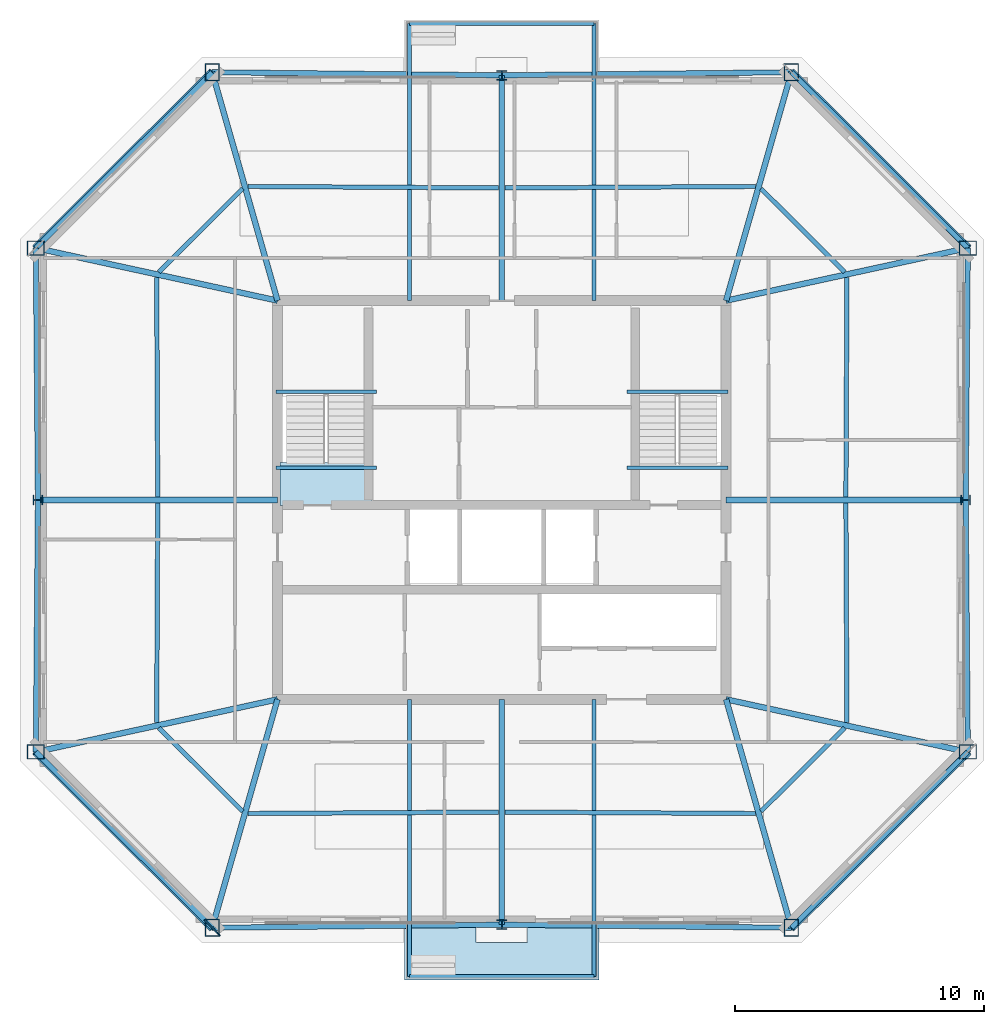
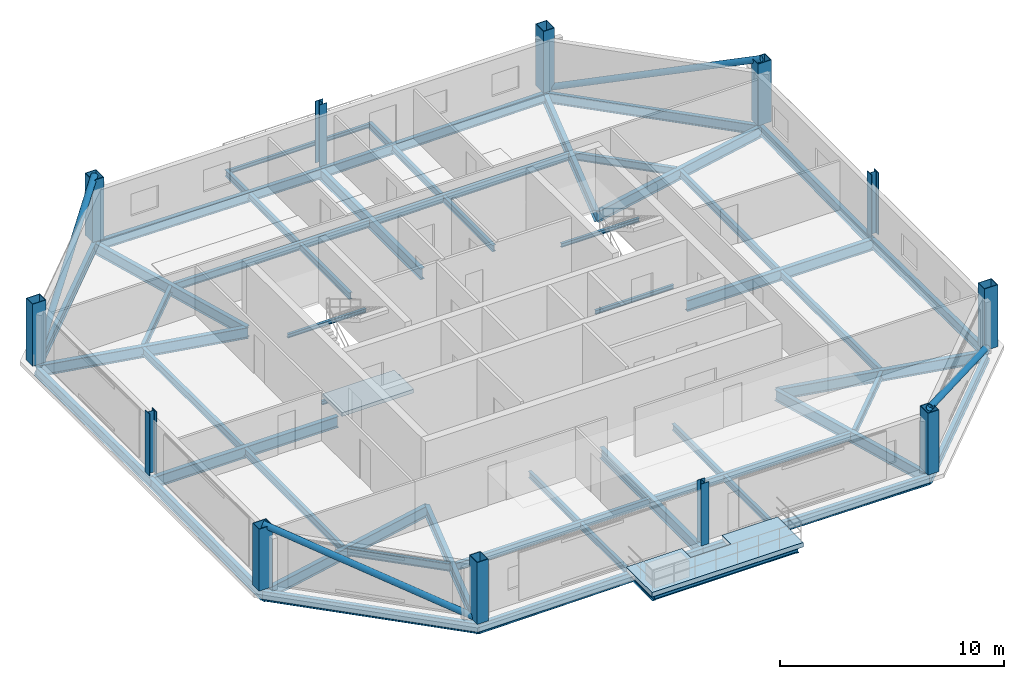
# One storey, part 1 of 7: 46 beams, 12 columns, 4 members, 2 slabs, 1 plate, 1 element without a shape of its own.
"""IFC4 building model written with IfcOpenShell, lengths in metres."""

from ifc_helpers import new_model, si_unit, direction, frame, origin, origin_2d, place, context, subcontext, project, spatial, polyline, rectangle, hollow_rectangle, hollow_circle, i_section, outline, extrude, material, layer, layer_set, material_profile, profile_set, type_object, element, aggregate, save


model = new_model("IFC4")

# Units and contexts
model_context = context("Model", 3, precision=1e-05, world=origin(), true_north=direction((0.0, 1.0)))
body_context = subcontext(model_context, "Body", "Model", "MODEL_VIEW")
ifc_project = project(units=[si_unit("LENGTHUNIT", "METRE"), si_unit("AREAUNIT", "SQUARE_METRE"), si_unit("VOLUMEUNIT", "CUBIC_METRE"), si_unit("PLANEANGLEUNIT", "RADIAN"), si_unit("MASSUNIT", "GRAM", prefix="KILO")], contexts=[model_context])

# Site, building, storey
site_placement = place(None, origin())
site = spatial("IfcSite", under=ifc_project, at=site_placement, CompositionType="ELEMENT")
building_placement = place(site_placement, origin())
building = spatial("IfcBuilding", under=site, at=building_placement, Name="Caelvoria Tower", CompositionType="ELEMENT")
storey_placement = place(building_placement, frame((0.0, 0.0, 253.800048828125)))
storey = spatial("IfcBuildingStorey", under=building, at=storey_placement, Name="L67", CompositionType="ELEMENT", Elevation=253.800048828125)

# Columns
ifc_material_1 = material(Name="Structural Steel ASTM A572 Gr.50", Category="steel")
ifc_material_profile_1 = material_profile(ifc_material_1, hollow_rectangle(XDim=0.580078125, YDim=0.699951171875, WallThickness=0.031982421875, at=origin_2d()), Name="Structural Steel ASTM A572 Gr.50")
ifc_profile_set_1 = profile_set([ifc_material_profile_1], Name="BOX700X580X32 - Structural Steel ASTM A572 Gr.50")
column_type_1 = type_object("IfcColumnType", Name="Mega Box Column 700x580x32", PredefinedType="COLUMN", material=ifc_profile_set_1)
for number, where, z_axis, x_axis, name in (
    (1, (34.37646484375, 14.83251953125, 0.0), (0.0, 0.0, 1.0), (1.0, 0.0, 0.0), "Perimeter Megaframe Column L67-P00"),
    (2, (57.62353515625, 14.83251953125, 0.0), (0.0, 0.0, 1.0), (1.0, 0.0, 0.0), "Perimeter Megaframe Column L67-P02"),
    (3, (64.702880859375, 21.887939453125, 0.0), (0.0, 0.0, 1.0), (0.0, 1.0, 0.0), "Perimeter Megaframe Column L67-P03"),
    (4, (64.702880859375, 42.112060546875, 0.0), (0.0, 0.0, 1.0), (0.0, 1.0, 0.0), "Perimeter Megaframe Column L67-P05"),
    (5, (57.62353515625, 49.16748046875, 0.0), (0.0, 0.0, 1.0), (1.0, 0.0, 0.0), "Perimeter Megaframe Column L67-P06"),
    (6, (34.37646484375, 49.16748046875, 0.0), (0.0, 0.0, 1.0), (1.0, 0.0, 0.0), "Perimeter Megaframe Column L67-P08"),
    (7, (27.297119140625, 42.112060546875, 0.0), (0.0, 0.0, 1.0), (0.0, 1.0, 0.0), "Perimeter Megaframe Column L67-P09"),
    (8, (27.297119140625, 21.887939453125, 0.0), (0.0, 0.0, 1.0), (0.0, 1.0, 0.0), "Perimeter Megaframe Column L67-P11"),
):
    element("IfcColumn", number, at=place(storey_placement, frame(where, z_axis=z_axis, x_axis=x_axis)), inside=storey, type_object=column_type_1, Name=name, PredefinedType="COLUMN", context=body_context, shape_type="SweptSolid", body=[
        extrude(hollow_rectangle(XDim=0.580078125, YDim=0.699951171875, WallThickness=0.031982421875, at=origin_2d()), origin(), (0.0, 0.0, 1.0), 3.373046875),
    ])
ifc_material_2 = material(Name="Structural Steel ASTM A992 Gr.50", Category="steel")
ifc_material_profile_2 = material_profile(ifc_material_2, i_section(OverallWidth=0.39501953125, OverallDepth=0.3798828125, WebThickness=0.018798828125, FlangeThickness=0.0302734375, FilletRadius=0.02490234375, at=origin_2d()), Name="Structural Steel ASTM A992 Gr.50")
ifc_profile_set_2 = profile_set([ifc_material_profile_2], Name="W360X237 - Structural Steel ASTM A992 Gr.50")
column_type_2 = type_object("IfcColumnType", Name="Summit Frame Column W360X237", PredefinedType="COLUMN", material=ifc_profile_set_2)
for number, where, z_axis, x_axis, name in (
    (9, (46.0, 14.956298828125, 0.0), (0.0, 0.0, 1.0), (1.0, 0.0, 0.0), "Perimeter Megaframe Column L67-P01"),
    (10, (64.616455078125, 32.0, 0.0), (0.0, 0.0, 1.0), (0.0, 1.0, 0.0), "Perimeter Megaframe Column L67-P04"),
    (11, (46.0, 49.043701171875, 0.0), (0.0, 0.0, 1.0), (1.0, 0.0, 0.0), "Perimeter Megaframe Column L67-P07"),
    (12, (27.383544921875, 32.0, 0.0), (0.0, 0.0, 1.0), (0.0, 1.0, 0.0), "Perimeter Megaframe Column L67-P10"),
):
    element("IfcColumn", number, at=place(storey_placement, frame(where, z_axis=z_axis, x_axis=x_axis)), inside=storey, type_object=column_type_2, Name=name, PredefinedType="COLUMN", context=body_context, shape_type="SweptSolid", body=[
        extrude(i_section(OverallWidth=0.39501953125, OverallDepth=0.3798828125, WebThickness=0.018798828125, FlangeThickness=0.0302734375, FilletRadius=0.02490234375, at=origin_2d()), origin(), (0.0, 0.0, 1.0), 3.373046875),
    ])

# Beams
ifc_material_profile_3 = material_profile(ifc_material_2, i_section(OverallWidth=0.134033203125, OverallDepth=0.2099609375, WebThickness=0.00634765625, FlangeThickness=0.01025390625, FilletRadius=0.010009765625, at=origin_2d()), Name="Structural Steel ASTM A992 Gr.50")
ifc_profile_set_3 = profile_set([ifc_material_profile_3], Name="W200X31.3 - Structural Steel ASTM A992 Gr.50")
beam_type_1 = type_object("IfcBeamType", Name="Canopy Edge Trim Beam W200X31.3", PredefinedType="BEAM", material=ifc_profile_set_3)
for number, where, z_axis, x_axis, name in (
    (13, (42.300048828125, 12.886474609375, -0.428955078125), (1.0, 0.0, 0.0), (0.0, 1.0, 0.0), "Tree Balcony Edge Beam TB-L67-S"),
    (14, (42.300048828125, 51.113525390625, -0.428955078125), (1.0, 0.0, 0.0), (0.0, 1.0, 0.0), "Tree Balcony Edge Beam TB-L67-N"),
):
    element("IfcBeam", number, at=place(storey_placement, frame(where, z_axis=z_axis, x_axis=x_axis)), inside=storey, type_object=beam_type_1, Name=name, PredefinedType="BEAM", context=body_context, shape_type="SweptSolid", body=[
        extrude(i_section(OverallWidth=0.134033203125, OverallDepth=0.2099609375, WebThickness=0.00634765625, FlangeThickness=0.01025390625, FilletRadius=0.010009765625, at=origin_2d()), origin(), (0.0, 0.0, 1.0), 7.39990234375),
    ])
for number, where, z_axis, x_axis, name in (
    (15, (36.929931640625, 36.35009765625, 1.494873046875), (1.0, 0.0, 0.0), (0.0, 1.0, 0.0), "ST-01 Half-Landing Support Beam L67"),
    (16, (36.929931640625, 33.300048828125, -0.304931640625), (1.0, 0.0, 0.0), (0.0, 1.0, 0.0), "ST-01 Floor-Landing Support Beam L67"),
    (17, (51.030029296875, 36.35009765625, 1.494873046875), (1.0, 0.0, 0.0), (0.0, 1.0, 0.0), "ST-02 Half-Landing Support Beam L67"),
    (18, (51.030029296875, 33.300048828125, -0.304931640625), (1.0, 0.0, 0.0), (0.0, 1.0, 0.0), "ST-02 Floor-Landing Support Beam L67"),
):
    element("IfcBeam", number, at=place(storey_placement, frame(where, z_axis=z_axis, x_axis=x_axis)), inside=storey, type_object=beam_type_1, Name=name, PredefinedType="BEAM", context=body_context, shape_type="SweptSolid", body=[
        extrude(i_section(OverallWidth=0.134033203125, OverallDepth=0.2099609375, WebThickness=0.00634765625, FlangeThickness=0.01025390625, FilletRadius=0.010009765625, at=origin_2d()), origin(), (0.0, 0.0, 1.0), 4.0400390625),
    ])
ifc_material_profile_4 = material_profile(ifc_material_2, i_section(OverallWidth=0.22802734375, OverallDepth=0.60302734375, WebThickness=0.010498046875, FlangeThickness=0.014892578125, FilletRadius=0.01806640625, at=origin_2d()), Name="Structural Steel ASTM A992 Gr.50")
ifc_profile_set_4 = profile_set([ifc_material_profile_4], Name="W610X101 - Structural Steel ASTM A992 Gr.50")
beam_type_2 = type_object("IfcBeamType", Name="Primary Floor Girder W610X101", PredefinedType="BEAM", material=ifc_profile_set_4)
beam_1_placement = place(storey_placement, frame((37.0, 24.0, -0.526611328125), z_axis=(-0.275133654786, -0.961405987086, 0.0), x_axis=(0.961405987086, -0.275133654786, 0.0)))
element("IfcBeam", 19, at=beam_1_placement, inside=storey, type_object=beam_type_2, Name="Primary Floor Girder L67-00", PredefinedType="BEAM", context=body_context, shape_type="SweptSolid", body=[
    extrude(i_section(OverallWidth=0.22802734375, OverallDepth=0.60302734375, WebThickness=0.010498046875, FlangeThickness=0.014892578125, FilletRadius=0.01806640625, at=origin_2d()), origin(), (0.0, 0.0, 1.0), 9.535400390625),
])
beam_2_placement = place(storey_placement, frame((46.0, 24.0, -0.526611328125), z_axis=(0.0, -1.0, 0.0), x_axis=(1.0, 0.0, 0.0)))
element("IfcBeam", 20, at=beam_2_placement, inside=storey, type_object=beam_type_2, Name="Primary Floor Girder L67-01", PredefinedType="BEAM", context=body_context, shape_type="SweptSolid", body=[
    extrude(i_section(OverallWidth=0.22802734375, OverallDepth=0.60302734375, WebThickness=0.010498046875, FlangeThickness=0.014892578125, FilletRadius=0.01806640625, at=origin_2d()), origin(), (0.0, 0.0, 1.0), 9.043701171875),
])
beam_3_placement = place(storey_placement, frame((55.0, 24.0, -0.526611328125), z_axis=(0.275133654786, -0.961405987086, 0.0), x_axis=(0.961405987086, 0.275133654786, 0.0)))
element("IfcBeam", 21, at=beam_3_placement, inside=storey, type_object=beam_type_2, Name="Primary Floor Girder L67-02", PredefinedType="BEAM", context=body_context, shape_type="SweptSolid", body=[
    extrude(i_section(OverallWidth=0.22802734375, OverallDepth=0.60302734375, WebThickness=0.010498046875, FlangeThickness=0.014892578125, FilletRadius=0.01806640625, at=origin_2d()), origin(), (0.0, 0.0, 1.0), 9.535400390625),
])
beam_4_placement = place(storey_placement, frame((55.0, 24.0, -0.526611328125), z_axis=(0.977119079584, -0.212692981342, 0.0), x_axis=(0.212692981342, 0.977119079584, 0.0)))
element("IfcBeam", 22, at=beam_4_placement, inside=storey, type_object=beam_type_2, Name="Primary Floor Girder L67-03", PredefinedType="BEAM", context=body_context, shape_type="SweptSolid", body=[
    extrude(i_section(OverallWidth=0.22802734375, OverallDepth=0.60302734375, WebThickness=0.010498046875, FlangeThickness=0.014892578125, FilletRadius=0.01806640625, at=origin_2d()), origin(), (0.0, 0.0, 1.0), 9.93017578125),
])
beam_5_placement = place(storey_placement, frame((55.0, 32.0, -0.526611328125), z_axis=(1.0, 0.0, 0.0), x_axis=(0.0, 1.0, 0.0)))
element("IfcBeam", 23, at=beam_5_placement, inside=storey, type_object=beam_type_2, Name="Primary Floor Girder L67-04", PredefinedType="BEAM", context=body_context, shape_type="SweptSolid", body=[
    extrude(i_section(OverallWidth=0.22802734375, OverallDepth=0.60302734375, WebThickness=0.010498046875, FlangeThickness=0.014892578125, FilletRadius=0.01806640625, at=origin_2d()), origin(), (0.0, 0.0, 1.0), 9.616455078125),
])
beam_6_placement = place(storey_placement, frame((55.0, 40.0, -0.526611328125), z_axis=(0.977119079584, 0.212692981342, 0.0), x_axis=(-0.212692981342, 0.977119079584, 0.0)))
element("IfcBeam", 24, at=beam_6_placement, inside=storey, type_object=beam_type_2, Name="Primary Floor Girder L67-05", PredefinedType="BEAM", context=body_context, shape_type="SweptSolid", body=[
    extrude(i_section(OverallWidth=0.22802734375, OverallDepth=0.60302734375, WebThickness=0.010498046875, FlangeThickness=0.014892578125, FilletRadius=0.01806640625, at=origin_2d()), origin(), (0.0, 0.0, 1.0), 9.93017578125),
])
beam_7_placement = place(storey_placement, frame((55.0, 40.0, -0.526611328125), z_axis=(0.275133654786, 0.961405987086, 0.0), x_axis=(-0.961405987086, 0.275133654786, 0.0)))
element("IfcBeam", 25, at=beam_7_placement, inside=storey, type_object=beam_type_2, Name="Primary Floor Girder L67-06", PredefinedType="BEAM", context=body_context, shape_type="SweptSolid", body=[
    extrude(i_section(OverallWidth=0.22802734375, OverallDepth=0.60302734375, WebThickness=0.010498046875, FlangeThickness=0.014892578125, FilletRadius=0.01806640625, at=origin_2d()), origin(), (0.0, 0.0, 1.0), 9.535400390625),
])
beam_8_placement = place(storey_placement, frame((46.0, 40.0, -0.526611328125), z_axis=(0.0, 1.0, 0.0), x_axis=(-1.0, 0.0, 0.0)))
element("IfcBeam", 26, at=beam_8_placement, inside=storey, type_object=beam_type_2, Name="Primary Floor Girder L67-07", PredefinedType="BEAM", context=body_context, shape_type="SweptSolid", body=[
    extrude(i_section(OverallWidth=0.22802734375, OverallDepth=0.60302734375, WebThickness=0.010498046875, FlangeThickness=0.014892578125, FilletRadius=0.01806640625, at=origin_2d()), origin(), (0.0, 0.0, 1.0), 9.043701171875),
])
beam_9_placement = place(storey_placement, frame((37.0, 40.0, -0.526611328125), z_axis=(-0.275133654786, 0.961405987086, 0.0), x_axis=(-0.961405987086, -0.275133654786, 0.0)))
element("IfcBeam", 27, at=beam_9_placement, inside=storey, type_object=beam_type_2, Name="Primary Floor Girder L67-08", PredefinedType="BEAM", context=body_context, shape_type="SweptSolid", body=[
    extrude(i_section(OverallWidth=0.22802734375, OverallDepth=0.60302734375, WebThickness=0.010498046875, FlangeThickness=0.014892578125, FilletRadius=0.01806640625, at=origin_2d()), origin(), (0.0, 0.0, 1.0), 9.535400390625),
])
beam_10_placement = place(storey_placement, frame((37.0, 40.0, -0.526611328125), z_axis=(-0.977119079584, 0.212692981342, 0.0), x_axis=(-0.212692981342, -0.977119079584, 0.0)))
element("IfcBeam", 28, at=beam_10_placement, inside=storey, type_object=beam_type_2, Name="Primary Floor Girder L67-09", PredefinedType="BEAM", context=body_context, shape_type="SweptSolid", body=[
    extrude(i_section(OverallWidth=0.22802734375, OverallDepth=0.60302734375, WebThickness=0.010498046875, FlangeThickness=0.014892578125, FilletRadius=0.01806640625, at=origin_2d()), origin(), (0.0, 0.0, 1.0), 9.93017578125),
])
beam_11_placement = place(storey_placement, frame((37.0, 32.0, -0.526611328125), z_axis=(-1.0, 0.0, 0.0), x_axis=(0.0, -1.0, 0.0)))
element("IfcBeam", 29, at=beam_11_placement, inside=storey, type_object=beam_type_2, Name="Primary Floor Girder L67-10", PredefinedType="BEAM", context=body_context, shape_type="SweptSolid", body=[
    extrude(i_section(OverallWidth=0.22802734375, OverallDepth=0.60302734375, WebThickness=0.010498046875, FlangeThickness=0.014892578125, FilletRadius=0.01806640625, at=origin_2d()), origin(), (0.0, 0.0, 1.0), 9.616455078125),
])
beam_12_placement = place(storey_placement, frame((37.0, 24.0, -0.526611328125), z_axis=(-0.977119079584, -0.212692981342, 0.0), x_axis=(0.212692981342, -0.977119079584, 0.0)))
element("IfcBeam", 30, at=beam_12_placement, inside=storey, type_object=beam_type_2, Name="Primary Floor Girder L67-11", PredefinedType="BEAM", context=body_context, shape_type="SweptSolid", body=[
    extrude(i_section(OverallWidth=0.22802734375, OverallDepth=0.60302734375, WebThickness=0.010498046875, FlangeThickness=0.014892578125, FilletRadius=0.01806640625, at=origin_2d()), origin(), (0.0, 0.0, 1.0), 9.93017578125),
])
ifc_material_profile_5 = material_profile(ifc_material_2, i_section(OverallWidth=0.177978515625, OverallDepth=0.406982421875, WebThickness=0.0078125, FlangeThickness=0.0126953125, FilletRadius=0.013916015625, at=origin_2d()), Name="Structural Steel ASTM A992 Gr.50")
ifc_profile_set_5 = profile_set([ifc_material_profile_5], Name="W410X60 - Structural Steel ASTM A992 Gr.50")
beam_type_3 = type_object("IfcBeamType", Name="Secondary Floor Beam W410X60", PredefinedType="BEAM", material=ifc_profile_set_5)
for number, where, z_axis, x_axis, name in (
    (31, (35.813232421875, 19.4169921875, -0.428466796875), (0.999982040934, 0.005993146922, 0.0), (-0.005993146922, 0.999982040934, 0.0), "Secondary Floor Beam L67-00"),
    (32, (46.125, 19.477294921875, -0.428466796875), (0.999982040934, -0.005993146922, 0.0), (0.005993146922, 0.999982040934, 0.0), "Secondary Floor Beam L67-01"),
):
    element("IfcBeam", number, at=place(storey_placement, frame(where, z_axis=z_axis, x_axis=x_axis)), inside=storey, type_object=beam_type_3, Name=name, PredefinedType="BEAM", context=body_context, shape_type="SweptSolid", body=[
        extrude(i_section(OverallWidth=0.177978515625, OverallDepth=0.406982421875, WebThickness=0.0078125, FlangeThickness=0.0126953125, FilletRadius=0.013916015625, at=origin_2d()), origin(), (0.0, 0.0, 1.0), 10.06201171875),
    ])
beam_13_placement = place(storey_placement, frame((56.400390625, 19.50439453125, -0.428466796875), z_axis=(0.708288587083, 0.705922996798, 0.0), x_axis=(-0.705922996798, 0.708288587083, 0.0)))
element("IfcBeam", 33, at=beam_13_placement, inside=storey, type_object=beam_type_3, Name="Secondary Floor Beam L67-02", PredefinedType="BEAM", context=body_context, shape_type="SweptSolid", body=[
    extrude(i_section(OverallWidth=0.177978515625, OverallDepth=0.406982421875, WebThickness=0.0078125, FlangeThickness=0.0126953125, FilletRadius=0.013916015625, at=origin_2d()), origin(), (0.0, 0.0, 1.0), 4.747314453125),
])
for number, where, z_axis, x_axis, name in (
    (34, (59.850830078125, 23.069091796875, -0.428466796875), (-0.00476858367, 0.99998863024, 0.0), (-0.99998863024, -0.00476858367, 0.0), "Secondary Floor Beam L67-03"),
    (35, (59.808837890625, 32.125, -0.428466796875), (0.00476858367, 0.99998863024, 0.0), (-0.99998863024, 0.00476858367, 0.0), "Secondary Floor Beam L67-04"),
):
    element("IfcBeam", number, at=place(storey_placement, frame(where, z_axis=z_axis, x_axis=x_axis)), inside=storey, type_object=beam_type_3, Name=name, PredefinedType="BEAM", context=body_context, shape_type="SweptSolid", body=[
        extrude(i_section(OverallWidth=0.177978515625, OverallDepth=0.406982421875, WebThickness=0.0078125, FlangeThickness=0.0126953125, FilletRadius=0.013916015625, at=origin_2d()), origin(), (0.0, 0.0, 1.0), 8.805908203125),
    ])
beam_14_placement = place(storey_placement, frame((59.762939453125, 41.144287109375, -0.428466796875), z_axis=(-0.708288587083, 0.705922996798, 0.0), x_axis=(-0.705922996798, -0.708288587083, 0.0)))
element("IfcBeam", 36, at=beam_14_placement, inside=storey, type_object=beam_type_3, Name="Secondary Floor Beam L67-05", PredefinedType="BEAM", context=body_context, shape_type="SweptSolid", body=[
    extrude(i_section(OverallWidth=0.177978515625, OverallDepth=0.406982421875, WebThickness=0.0078125, FlangeThickness=0.0126953125, FilletRadius=0.013916015625, at=origin_2d()), origin(), (0.0, 0.0, 1.0), 4.747314453125),
])
for number, where, z_axis, x_axis, name in (
    (37, (56.186767578125, 44.5830078125, -0.428466796875), (-0.999982040934, -0.005993146922, 0.0), (0.005993146922, -0.999982040934, 0.0), "Secondary Floor Beam L67-06"),
    (38, (45.875, 44.522705078125, -0.428466796875), (-0.999982040934, 0.005993146922, 0.0), (-0.005993146922, -0.999982040934, 0.0), "Secondary Floor Beam L67-07"),
):
    element("IfcBeam", number, at=place(storey_placement, frame(where, z_axis=z_axis, x_axis=x_axis)), inside=storey, type_object=beam_type_3, Name=name, PredefinedType="BEAM", context=body_context, shape_type="SweptSolid", body=[
        extrude(i_section(OverallWidth=0.177978515625, OverallDepth=0.406982421875, WebThickness=0.0078125, FlangeThickness=0.0126953125, FilletRadius=0.013916015625, at=origin_2d()), origin(), (0.0, 0.0, 1.0), 10.06201171875),
    ])
beam_15_placement = place(storey_placement, frame((35.599609375, 44.49560546875, -0.428466796875), z_axis=(-0.708288587083, -0.705922996798, 0.0), x_axis=(0.705922996798, -0.708288587083, 0.0)))
element("IfcBeam", 39, at=beam_15_placement, inside=storey, type_object=beam_type_3, Name="Secondary Floor Beam L67-08", PredefinedType="BEAM", context=body_context, shape_type="SweptSolid", body=[
    extrude(i_section(OverallWidth=0.177978515625, OverallDepth=0.406982421875, WebThickness=0.0078125, FlangeThickness=0.0126953125, FilletRadius=0.013916015625, at=origin_2d()), origin(), (0.0, 0.0, 1.0), 4.747314453125),
])
for number, where, z_axis, x_axis, name in (
    (40, (32.149169921875, 40.930908203125, -0.428466796875), (0.00476858367, -0.99998863024, 0.0), (0.99998863024, 0.00476858367, 0.0), "Secondary Floor Beam L67-09"),
    (41, (32.191162109375, 31.875, -0.428466796875), (-0.00476858367, -0.99998863024, 0.0), (0.99998863024, -0.00476858367, 0.0), "Secondary Floor Beam L67-10"),
):
    element("IfcBeam", number, at=place(storey_placement, frame(where, z_axis=z_axis, x_axis=x_axis)), inside=storey, type_object=beam_type_3, Name=name, PredefinedType="BEAM", context=body_context, shape_type="SweptSolid", body=[
        extrude(i_section(OverallWidth=0.177978515625, OverallDepth=0.406982421875, WebThickness=0.0078125, FlangeThickness=0.0126953125, FilletRadius=0.013916015625, at=origin_2d()), origin(), (0.0, 0.0, 1.0), 8.805908203125),
    ])
beam_16_placement = place(storey_placement, frame((32.237060546875, 22.855712890625, -0.428466796875), z_axis=(0.708288587083, -0.705922996798, 0.0), x_axis=(0.705922996798, 0.708288587083, 0.0)))
element("IfcBeam", 42, at=beam_16_placement, inside=storey, type_object=beam_type_3, Name="Secondary Floor Beam L67-11", PredefinedType="BEAM", context=body_context, shape_type="SweptSolid", body=[
    extrude(i_section(OverallWidth=0.177978515625, OverallDepth=0.406982421875, WebThickness=0.0078125, FlangeThickness=0.0126953125, FilletRadius=0.013916015625, at=origin_2d()), origin(), (0.0, 0.0, 1.0), 4.747314453125),
])

# Members
ifc_material_profile_6 = material_profile(ifc_material_1, hollow_circle(Radius=0.162109375, WallThickness=0.0126953125, at=origin_2d()), Name="Structural Steel ASTM A572 Gr.50")
ifc_profile_set_6 = profile_set([ifc_material_profile_6], Name="CHS324X12.7 - Structural Steel ASTM A572 Gr.50")
member_type = type_object("IfcMemberType", Name="Summit Perimeter Mega Brace CHS324X12.7", PredefinedType="BRACE", material=ifc_profile_set_6)
for number, where, z_axis, x_axis, name in (
    (43, (64.702880859375, 21.887939453125, 0.0), (-0.671075629118, -0.668807621681, 0.319927906229), (0.705908857083, -0.708302679291, 0.0), "Perimeter Chamfer Mega Brace L67 SE"),
    (44, (57.62353515625, 49.16748046875, 0.0), (0.671075629118, -0.668807621681, 0.319927906229), (0.705908857083, 0.708302679291, 0.0), "Perimeter Chamfer Mega Brace L67 NE"),
    (45, (27.297119140625, 42.112060546875, 0.0), (0.671075629118, 0.668807621681, 0.319927906229), (-0.705908857083, 0.708302679291, 0.0), "Perimeter Chamfer Mega Brace L67 NW"),
    (46, (34.37646484375, 14.83251953125, 0.0), (-0.671075629118, 0.668807621681, 0.319927906229), (-0.705908857083, -0.708302679291, 0.0), "Perimeter Chamfer Mega Brace L67 SW"),
):
    element("IfcMember", number, at=place(storey_placement, frame(where, z_axis=z_axis, x_axis=x_axis)), inside=storey, type_object=member_type, Name=name, PredefinedType="BRACE", context=body_context, shape_type="SweptSolid", body=[
        extrude(hollow_circle(Radius=0.162109375, WallThickness=0.0126953125, at=origin_2d()), origin(), (0.0, 0.0, 1.0), 10.54931640625),
    ])

# Beams
ifc_material_profile_7 = material_profile(ifc_material_2, i_section(OverallWidth=0.1708984375, OverallDepth=0.35498046875, WebThickness=0.007080078125, FlangeThickness=0.01171875, FilletRadius=0.012939453125, at=origin_2d()), Name="Structural Steel ASTM A992 Gr.50")
ifc_profile_set_7 = profile_set([ifc_material_profile_7], Name="W360X51 - Structural Steel ASTM A992 Gr.50")
beam_type_4 = type_object("IfcBeamType", Name="Tree Balcony Cantilever Beam W360X51", PredefinedType="BEAM", material=ifc_profile_set_7)
for number, where, z_axis, x_axis, name in (
    (47, (42.300048828125, 24.0, -0.428955078125), (0.0, -1.0, 0.0), (1.0, 0.0, 0.0), "Tree Balcony Cantilever Beam TB-L67-S L"),
    (48, (49.699951171875, 24.0, -0.428955078125), (0.0, -1.0, 0.0), (1.0, 0.0, 0.0), "Tree Balcony Cantilever Beam TB-L67-S R"),
    (49, (42.300048828125, 40.0, -0.428955078125), (0.0, 1.0, 0.0), (-1.0, 0.0, 0.0), "Tree Balcony Cantilever Beam TB-L67-N L"),
    (50, (49.699951171875, 40.0, -0.428955078125), (0.0, 1.0, 0.0), (-1.0, 0.0, 0.0), "Tree Balcony Cantilever Beam TB-L67-N R"),
):
    element("IfcBeam", number, at=place(storey_placement, frame(where, z_axis=z_axis, x_axis=x_axis)), inside=storey, type_object=beam_type_4, Name=name, PredefinedType="BEAM", context=body_context, shape_type="SweptSolid", body=[
        extrude(i_section(OverallWidth=0.1708984375, OverallDepth=0.35498046875, WebThickness=0.007080078125, FlangeThickness=0.01171875, FilletRadius=0.012939453125, at=origin_2d()), origin(), (0.0, 0.0, 1.0), 11.113525390625),
    ])
ifc_material_profile_8 = material_profile(ifc_material_2, i_section(OverallWidth=0.208984375, OverallDepth=0.532958984375, WebThickness=0.01025390625, FlangeThickness=0.015625, FilletRadius=0.01611328125, at=origin_2d()), Name="Structural Steel ASTM A992 Gr.50")
ifc_profile_set_8 = profile_set([ifc_material_profile_8], Name="W530X92 - Structural Steel ASTM A992 Gr.50")
beam_type_5 = type_object("IfcBeamType", Name="Upper Zone Spandrel W530X92", PredefinedType="BEAM", material=ifc_profile_set_8)
for number, where, z_axis, x_axis, name in (
    (51, (34.37646484375, 14.83251953125, -0.491455078125), (0.999943303973, 0.010648419557, 0.0), (-0.010648419557, 0.999943303973, 0.0), "Perimeter Spandrel Girder L67-00"),
    (52, (46.0, 14.956298828125, -0.491455078125), (0.999943303973, -0.010648419557, 0.0), (0.010648419557, 0.999943303973, 0.0), "Perimeter Spandrel Girder L67-01"),
):
    element("IfcBeam", number, at=place(storey_placement, frame(where, z_axis=z_axis, x_axis=x_axis)), inside=storey, type_object=beam_type_5, Name=name, PredefinedType="BEAM", context=body_context, shape_type="SweptSolid", body=[
        extrude(i_section(OverallWidth=0.208984375, OverallDepth=0.532958984375, WebThickness=0.01025390625, FlangeThickness=0.015625, FilletRadius=0.01611328125, at=origin_2d()), origin(), (0.0, 0.0, 1.0), 11.624267578125),
    ])
beam_17_placement = place(storey_placement, frame((57.62353515625, 14.83251953125, -0.491455078125), z_axis=(0.708302679291, 0.705908857083, 0.0), x_axis=(-0.705908857083, 0.708302679291, 0.0)))
element("IfcBeam", 53, at=beam_17_placement, inside=storey, type_object=beam_type_5, Name="Perimeter Spandrel Girder L67-02", PredefinedType="BEAM", context=body_context, shape_type="SweptSolid", body=[
    extrude(i_section(OverallWidth=0.208984375, OverallDepth=0.532958984375, WebThickness=0.01025390625, FlangeThickness=0.015625, FilletRadius=0.01611328125, at=origin_2d()), origin(), (0.0, 0.0, 1.0), 9.994873046875),
])
for number, where, z_axis, x_axis, name in (
    (54, (64.702880859375, 21.887939453125, -0.491455078125), (-0.008546490047, 0.999963478087, 0.0), (-0.999963478087, -0.008546490047, 0.0), "Perimeter Spandrel Girder L67-03"),
    (55, (64.616455078125, 32.0, -0.491455078125), (0.008546490047, 0.999963478087, 0.0), (-0.999963478087, 0.008546490047, 0.0), "Perimeter Spandrel Girder L67-04"),
):
    element("IfcBeam", number, at=place(storey_placement, frame(where, z_axis=z_axis, x_axis=x_axis)), inside=storey, type_object=beam_type_5, Name=name, PredefinedType="BEAM", context=body_context, shape_type="SweptSolid", body=[
        extrude(i_section(OverallWidth=0.208984375, OverallDepth=0.532958984375, WebThickness=0.01025390625, FlangeThickness=0.015625, FilletRadius=0.01611328125, at=origin_2d()), origin(), (0.0, 0.0, 1.0), 10.112548828125),
    ])
beam_18_placement = place(storey_placement, frame((64.702880859375, 42.112060546875, -0.491455078125), z_axis=(-0.708302679291, 0.705908857083, 0.0), x_axis=(-0.705908857083, -0.708302679291, 0.0)))
element("IfcBeam", 56, at=beam_18_placement, inside=storey, type_object=beam_type_5, Name="Perimeter Spandrel Girder L67-05", PredefinedType="BEAM", context=body_context, shape_type="SweptSolid", body=[
    extrude(i_section(OverallWidth=0.208984375, OverallDepth=0.532958984375, WebThickness=0.01025390625, FlangeThickness=0.015625, FilletRadius=0.01611328125, at=origin_2d()), origin(), (0.0, 0.0, 1.0), 9.994873046875),
])
for number, where, z_axis, x_axis, name in (
    (57, (57.62353515625, 49.16748046875, -0.491455078125), (-0.999943303973, -0.010648419557, 0.0), (0.010648419557, -0.999943303973, 0.0), "Perimeter Spandrel Girder L67-06"),
    (58, (46.0, 49.043701171875, -0.491455078125), (-0.999943303973, 0.010648419557, 0.0), (-0.010648419557, -0.999943303973, 0.0), "Perimeter Spandrel Girder L67-07"),
):
    element("IfcBeam", number, at=place(storey_placement, frame(where, z_axis=z_axis, x_axis=x_axis)), inside=storey, type_object=beam_type_5, Name=name, PredefinedType="BEAM", context=body_context, shape_type="SweptSolid", body=[
        extrude(i_section(OverallWidth=0.208984375, OverallDepth=0.532958984375, WebThickness=0.01025390625, FlangeThickness=0.015625, FilletRadius=0.01611328125, at=origin_2d()), origin(), (0.0, 0.0, 1.0), 11.624267578125),
    ])
beam_19_placement = place(storey_placement, frame((34.37646484375, 49.16748046875, -0.491455078125), z_axis=(-0.708302679291, -0.705908857083, 0.0), x_axis=(0.705908857083, -0.708302679291, 0.0)))
element("IfcBeam", 59, at=beam_19_placement, inside=storey, type_object=beam_type_5, Name="Perimeter Spandrel Girder L67-08", PredefinedType="BEAM", context=body_context, shape_type="SweptSolid", body=[
    extrude(i_section(OverallWidth=0.208984375, OverallDepth=0.532958984375, WebThickness=0.01025390625, FlangeThickness=0.015625, FilletRadius=0.01611328125, at=origin_2d()), origin(), (0.0, 0.0, 1.0), 9.994873046875),
])
for number, where, z_axis, x_axis, name in (
    (60, (27.297119140625, 42.112060546875, -0.491455078125), (0.008546490047, -0.999963478087, 0.0), (0.999963478087, 0.008546490047, 0.0), "Perimeter Spandrel Girder L67-09"),
    (61, (27.383544921875, 32.0, -0.491455078125), (-0.008546490047, -0.999963478087, 0.0), (0.999963478087, -0.008546490047, 0.0), "Perimeter Spandrel Girder L67-10"),
):
    element("IfcBeam", number, at=place(storey_placement, frame(where, z_axis=z_axis, x_axis=x_axis)), inside=storey, type_object=beam_type_5, Name=name, PredefinedType="BEAM", context=body_context, shape_type="SweptSolid", body=[
        extrude(i_section(OverallWidth=0.208984375, OverallDepth=0.532958984375, WebThickness=0.01025390625, FlangeThickness=0.015625, FilletRadius=0.01611328125, at=origin_2d()), origin(), (0.0, 0.0, 1.0), 10.112548828125),
    ])
beam_20_placement = place(storey_placement, frame((27.297119140625, 21.887939453125, -0.491455078125), z_axis=(0.708302679291, -0.705908857083, 0.0), x_axis=(0.705908857083, 0.708302679291, 0.0)))
element("IfcBeam", 62, at=beam_20_placement, inside=storey, type_object=beam_type_5, Name="Perimeter Spandrel Girder L67-11", PredefinedType="BEAM", context=body_context, shape_type="SweptSolid", body=[
    extrude(i_section(OverallWidth=0.208984375, OverallDepth=0.532958984375, WebThickness=0.01025390625, FlangeThickness=0.015625, FilletRadius=0.01611328125, at=origin_2d()), origin(), (0.0, 0.0, 1.0), 9.994873046875),
])

# Plate
ifc_layer_1 = layer(ifc_material_1, 0.0400390625, Name="Structural Steel ASTM A572 Gr.50")
ifc_layer_set_1 = layer_set([ifc_layer_1], Name="Megaframe Node Gusset Plate 900x600x40 - Structural Steel ASTM A572 Gr.50")
plate_type = type_object("IfcPlateType", Name="Megaframe Node Gusset Plate 900x600x40", PredefinedType="USERDEFINED", material=ifc_layer_set_1)
plate_placement = place(storey_placement, frame((34.37646484375, 14.83251953125, 0.02001953125), z_axis=(0.0, 0.0, 1.0), x_axis=(-0.708311501653, 0.705900004693, 0.0)))
element("IfcPlate", 63, at=plate_placement, inside=storey, type_object=plate_type, Name="Chamfer Mega Brace Gusset L67 SW", ObjectType="GUSSET_PLATE", PredefinedType="USERDEFINED", context=body_context, shape_type="SweptSolid", body=[
    extrude(rectangle(XDim=0.89990234375, YDim=0.0400390625, at=origin_2d()), origin(), (0.0, 0.0, 1.0), 0.60009765625),
])

# Stair, slab
ifc_material_3 = material(Name="Concrete C40/50", Category="concrete")
stair_type = type_object("IfcStairType", Name="Core Smokeproof Dogleg Stair Concrete C40/50", PredefinedType="HALF_TURN_STAIR", material=ifc_material_3)
stair_placement = place(storey_placement, origin())
stair = element("IfcStair", 64, at=stair_placement, inside=storey, type_object=stair_type, Name="ST-01 Smokeproof Exit Stair L67", PredefinedType="HALF_TURN_STAIR")
ifc_layer_2 = layer(ifc_material_3, 0.199951171875, Name="Concrete C40/50")
ifc_layer_set_2 = layer_set([ifc_layer_2], Name="Stair Half and Floor Landing Slab 200 Concrete C40/50 - Concrete C40/50")
slab_type_1 = type_object("IfcSlabType", Name="Stair Half and Floor Landing Slab 200 Concrete C40/50", PredefinedType="LANDING", material=ifc_layer_set_2)
slab_1_placement = place(storey_placement, frame((0.0, 0.0, -0.199951171875)))
slab_1 = element("IfcSlab", 65, at=slab_1_placement, type_object=slab_type_1, Name="ST-01 landing 1", PredefinedType="LANDING", context=body_context, shape_type="SweptSolid", body=[
    extrude(outline(polyline([(37.10009765625, 31.77001953125), (40.800048828125, 31.77001953125), (40.800048828125, 33.5), (37.10009765625, 33.5), (37.10009765625, 31.77001953125)])), origin(), (0.0, 0.0, 1.0), 0.199951171875),
])
aggregate(stair, [slab_1])

# Slab
ifc_material_4 = material(Name="Concrete C45/55", Category="concrete")
ifc_layer_3 = layer(ifc_material_4, 0.25, Name="Concrete C45/55")
ifc_layer_set_3 = layer_set([ifc_layer_3], Name="Tree Balcony Structural Planter Slab 250 - Concrete C45/55")
slab_type_2 = type_object("IfcSlabType", Name="Tree Balcony Structural Planter Slab 250", PredefinedType="FLOOR", material=ifc_layer_set_3)
slab_2_placement = place(storey_placement, frame((0.0, 0.0, -0.25)))
element("IfcSlab", 66, at=slab_2_placement, inside=storey, type_object=slab_type_2, Name="Tree Balcony Slab TB-L67-S", PredefinedType="FLOOR", context=body_context, shape_type="SweptSolid", body=[
    extrude(outline(polyline([(49.89990234375, 14.236328125), (49.89990234375, 15.036376953125), (47.0400390625, 15.036376953125), (47.0400390625, 14.236328125), (44.9599609375, 14.236328125), (44.9599609375, 15.036376953125), (42.10009765625, 15.036376953125), (42.10009765625, 14.236328125), (42.10009765625, 12.736328125), (49.89990234375, 12.736328125), (49.89990234375, 14.236328125)])), origin(), (0.0, 0.0, 1.0), 0.25),
])

save(model, "model.ifc")
